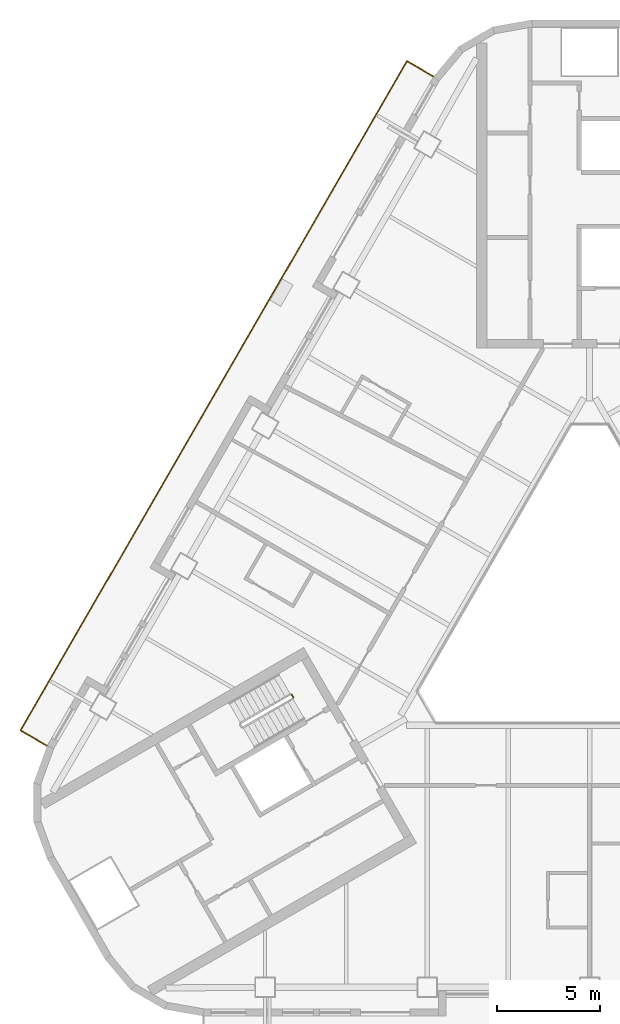
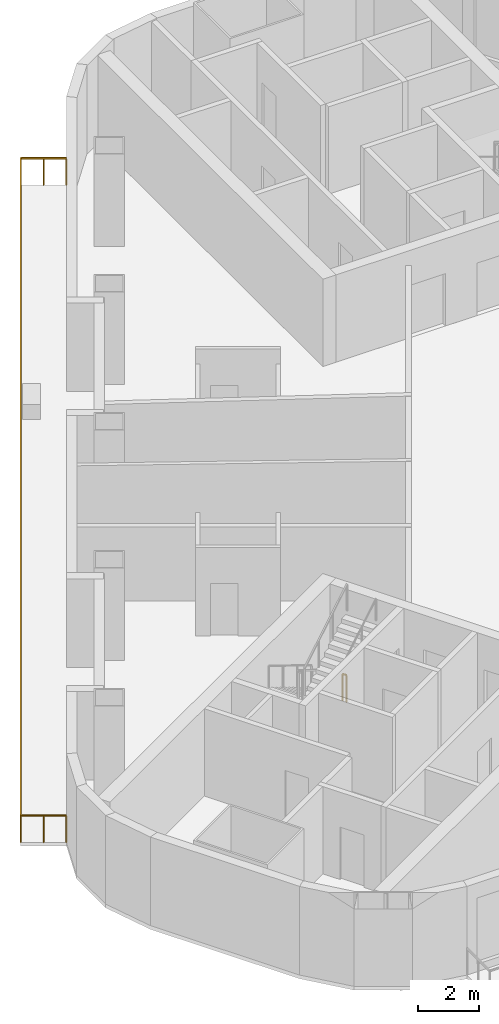
# One storey, part 10 of 13: 2 railings.
"""IFC4 building model written with IfcOpenShell, lengths in metres."""

from ifc_helpers import new_model, si_unit, direction, frame, origin, origin_2d, place, context, subcontext, project, spatial, rectangle, extrude, material, type_object, element, save


model = new_model("IFC4")

# Units and contexts
model_context = context("Model", 3, precision=1e-05, world=origin(), true_north=direction((0.0, 1.0)))
body_context = subcontext(model_context, "Body", "Model", "MODEL_VIEW")
ifc_project = project(units=[si_unit("LENGTHUNIT", "METRE"), si_unit("AREAUNIT", "SQUARE_METRE"), si_unit("VOLUMEUNIT", "CUBIC_METRE"), si_unit("PLANEANGLEUNIT", "RADIAN"), si_unit("MASSUNIT", "GRAM", prefix="KILO")], contexts=[model_context])

# Site, building, storey
site_placement = place(None, origin())
site = spatial("IfcSite", under=ifc_project, at=site_placement, CompositionType="ELEMENT")
building_placement = place(site_placement, origin())
building = spatial("IfcBuilding", under=site, at=building_placement, Name="Apuvela Tower Hotel", CompositionType="ELEMENT")
storey_placement = place(building_placement, frame((0.0, 0.0, 65.0)))
storey = spatial("IfcBuildingStorey", under=building, at=storey_placement, Name="L13", CompositionType="ELEMENT", Elevation=65.0)

# Railings
ifc_material_1 = material(Name="Steel S275 balustrade", Category="steel")
railing_type_1 = type_object("IfcRailingType", Name="COR-GUARD-1100", PredefinedType="GUARDRAIL", material=ifc_material_1)
railing_1_placement = place(storey_placement, frame((-14.500732421875, -3.984130859375, 0.0)))
element("IfcRailing", 1, at=railing_1_placement, inside=storey, type_object=railing_type_1, Name="L13 ST2 stair guard 4", PredefinedType="GUARDRAIL", context=body_context, shape_type="SweptSolid", body=[
    extrude(rectangle(XDim=0.048095703125, YDim=0.048095703125, at=origin_2d()), frame((0.0, 0.0, 1.076171875), z_axis=(0.499816412211, -0.866131372301, 0.0), x_axis=(0.866131372301, 0.499816412211, 0.0)), (0.0, 0.0, 1.0), 0.14990234375),
    extrude(rectangle(XDim=0.0419921875, YDim=0.0419921875, at=origin_2d()), origin(), (0.0, 0.0, 1.0), 1.052001953125),
    extrude(rectangle(XDim=0.0419921875, YDim=0.0419921875, at=origin_2d()), frame((0.074951171875, -0.1298828125, 0.0)), (0.0, 0.0, 1.0), 1.052001953125),
])
ifc_material_2 = material(Name="Stainless steel 316 rail with laminated glass infill", Category="steel")
railing_type_2 = type_object("IfcRailingType", Name="ENV-GUARD-1100", PredefinedType="GUARDRAIL", material=ifc_material_2)
railing_2_placement = place(storey_placement, frame((-7.59228515625, 26.110107421875, 0.0)))
element("IfcRailing", 2, at=railing_2_placement, inside=storey, type_object=railing_type_2, Name="Balcony guard NW L13", PredefinedType="GUARDRAIL", context=body_context, shape_type="SweptSolid", body=[
    extrude(rectangle(XDim=0.050048828125, YDim=0.050048828125, at=origin_2d()), frame((0.0, 0.0, 1.0751953125), z_axis=(-0.86599040064, 0.500060622324, 0.0), x_axis=(-0.500060622324, -0.86599040064, 0.0)), (0.0, 0.0, 1.0), 1.499755859375),
    extrude(rectangle(XDim=0.050048828125, YDim=0.050048828125, at=origin_2d()), frame((-1.298828125, 0.75, 1.0751953125), z_axis=(-0.500000437506, -0.86602515119, 0.0), x_axis=(0.86602515119, -0.500000437506, 0.0)), (0.0, 0.0, 1.0), 37.6318359375),
    extrude(rectangle(XDim=0.050048828125, YDim=0.050048828125, at=origin_2d()), frame((-20.11474609375, -31.840087890625, 1.0751953125), z_axis=(0.866031096941, -0.499990139034, 0.0), x_axis=(0.499990139034, 0.866031096941, 0.0)), (0.0, 0.0, 1.0), 1.5),
    extrude(rectangle(XDim=0.0400390625, YDim=0.0400390625, at=origin_2d()), origin(), (0.0, 0.0, 1.0), 1.050048828125),
    extrude(rectangle(XDim=0.0400390625, YDim=0.0400390625, at=origin_2d()), frame((-0.6494140625, 0.375, 0.0)), (0.0, 0.0, 1.0), 1.050048828125),
    extrude(rectangle(XDim=0.0400390625, YDim=0.0400390625, at=origin_2d()), frame((-1.298828125, 0.75, 0.0)), (0.0, 0.0, 1.0), 1.050048828125),
    extrude(rectangle(XDim=0.0400390625, YDim=0.0400390625, at=origin_2d()), frame((-1.88671875, -0.2685546875, 0.0)), (0.0, 0.0, 1.0), 1.050048828125),
    extrude(rectangle(XDim=0.0400390625, YDim=0.0400390625, at=origin_2d()), frame((-2.474853515625, -1.286865234375, 0.0)), (0.0, 0.0, 1.0), 1.050048828125),
    extrude(rectangle(XDim=0.0400390625, YDim=0.0400390625, at=origin_2d()), frame((-3.062744140625, -2.305419921875, 0.0)), (0.0, 0.0, 1.0), 1.050048828125),
    extrude(rectangle(XDim=0.0400390625, YDim=0.0400390625, at=origin_2d()), frame((-3.65087890625, -3.32373046875, 0.0)), (0.0, 0.0, 1.0), 1.050048828125),
    extrude(rectangle(XDim=0.0400390625, YDim=0.0400390625, at=origin_2d()), frame((-4.23876953125, -4.34228515625, 0.0)), (0.0, 0.0, 1.0), 1.050048828125),
    extrude(rectangle(XDim=0.0400390625, YDim=0.0400390625, at=origin_2d()), frame((-4.826904296875, -5.360595703125, 0.0)), (0.0, 0.0, 1.0), 1.050048828125),
    extrude(rectangle(XDim=0.0400390625, YDim=0.0400390625, at=origin_2d()), frame((-5.414794921875, -6.379150390625, 0.0)), (0.0, 0.0, 1.0), 1.050048828125),
    extrude(rectangle(XDim=0.0400390625, YDim=0.0400390625, at=origin_2d()), frame((-6.0029296875, -7.3974609375, 0.0)), (0.0, 0.0, 1.0), 1.050048828125),
    extrude(rectangle(XDim=0.0400390625, YDim=0.0400390625, at=origin_2d()), frame((-6.5908203125, -8.416015625, 0.0)), (0.0, 0.0, 1.0), 1.050048828125),
    extrude(rectangle(XDim=0.0400390625, YDim=0.0400390625, at=origin_2d()), frame((-7.1787109375, -9.434326171875, 0.0)), (0.0, 0.0, 1.0), 1.050048828125),
    extrude(rectangle(XDim=0.0400390625, YDim=0.0400390625, at=origin_2d()), frame((-7.766845703125, -10.452880859375, 0.0)), (0.0, 0.0, 1.0), 1.050048828125),
    extrude(rectangle(XDim=0.0400390625, YDim=0.0400390625, at=origin_2d()), frame((-8.354736328125, -11.47119140625, 0.0)), (0.0, 0.0, 1.0), 1.050048828125),
    extrude(rectangle(XDim=0.0400390625, YDim=0.0400390625, at=origin_2d()), frame((-8.94287109375, -12.48974609375, 0.0)), (0.0, 0.0, 1.0), 1.050048828125),
    extrude(rectangle(XDim=0.0400390625, YDim=0.0400390625, at=origin_2d()), frame((-9.53076171875, -13.508056640625, 0.0)), (0.0, 0.0, 1.0), 1.050048828125),
    extrude(rectangle(XDim=0.0400390625, YDim=0.0400390625, at=origin_2d()), frame((-10.118896484375, -14.526611328125, 0.0)), (0.0, 0.0, 1.0), 1.050048828125),
    extrude(rectangle(XDim=0.0400390625, YDim=0.0400390625, at=origin_2d()), frame((-10.706787109375, -15.544921875, 0.0)), (0.0, 0.0, 1.0), 1.050048828125),
    extrude(rectangle(XDim=0.0400390625, YDim=0.0400390625, at=origin_2d()), frame((-11.294677734375, -16.5634765625, 0.0)), (0.0, 0.0, 1.0), 1.050048828125),
    extrude(rectangle(XDim=0.0400390625, YDim=0.0400390625, at=origin_2d()), frame((-11.8828125, -17.58203125, 0.0)), (0.0, 0.0, 1.0), 1.050048828125),
    extrude(rectangle(XDim=0.0400390625, YDim=0.0400390625, at=origin_2d()), frame((-12.470703125, -18.600341796875, 0.0)), (0.0, 0.0, 1.0), 1.050048828125),
    extrude(rectangle(XDim=0.0400390625, YDim=0.0400390625, at=origin_2d()), frame((-13.058837890625, -19.618896484375, 0.0)), (0.0, 0.0, 1.0), 1.050048828125),
    extrude(rectangle(XDim=0.0400390625, YDim=0.0400390625, at=origin_2d()), frame((-13.646728515625, -20.63720703125, 0.0)), (0.0, 0.0, 1.0), 1.050048828125),
    extrude(rectangle(XDim=0.0400390625, YDim=0.0400390625, at=origin_2d()), frame((-14.23486328125, -21.65576171875, 0.0)), (0.0, 0.0, 1.0), 1.050048828125),
    extrude(rectangle(XDim=0.0400390625, YDim=0.0400390625, at=origin_2d()), frame((-14.82275390625, -22.674072265625, 0.0)), (0.0, 0.0, 1.0), 1.050048828125),
    extrude(rectangle(XDim=0.0400390625, YDim=0.0400390625, at=origin_2d()), frame((-15.41064453125, -23.692626953125, 0.0)), (0.0, 0.0, 1.0), 1.050048828125),
    extrude(rectangle(XDim=0.0400390625, YDim=0.0400390625, at=origin_2d()), frame((-15.998779296875, -24.7109375, 0.0)), (0.0, 0.0, 1.0), 1.050048828125),
    extrude(rectangle(XDim=0.0400390625, YDim=0.0400390625, at=origin_2d()), frame((-16.586669921875, -25.7294921875, 0.0)), (0.0, 0.0, 1.0), 1.050048828125),
    extrude(rectangle(XDim=0.0400390625, YDim=0.0400390625, at=origin_2d()), frame((-17.1748046875, -26.747802734375, 0.0)), (0.0, 0.0, 1.0), 1.050048828125),
    extrude(rectangle(XDim=0.0400390625, YDim=0.0400390625, at=origin_2d()), frame((-17.7626953125, -27.766357421875, 0.0)), (0.0, 0.0, 1.0), 1.050048828125),
    extrude(rectangle(XDim=0.0400390625, YDim=0.0400390625, at=origin_2d()), frame((-18.350830078125, -28.78466796875, 0.0)), (0.0, 0.0, 1.0), 1.050048828125),
    extrude(rectangle(XDim=0.0400390625, YDim=0.0400390625, at=origin_2d()), frame((-18.938720703125, -29.80322265625, 0.0)), (0.0, 0.0, 1.0), 1.050048828125),
    extrude(rectangle(XDim=0.0400390625, YDim=0.0400390625, at=origin_2d()), frame((-19.52685546875, -30.821533203125, 0.0)), (0.0, 0.0, 1.0), 1.050048828125),
    extrude(rectangle(XDim=0.0400390625, YDim=0.0400390625, at=origin_2d()), frame((-20.11474609375, -31.840087890625, 0.0)), (0.0, 0.0, 1.0), 1.050048828125),
    extrude(rectangle(XDim=0.0400390625, YDim=0.0400390625, at=origin_2d()), frame((-19.46533203125, -32.215087890625, 0.0)), (0.0, 0.0, 1.0), 1.050048828125),
    extrude(rectangle(XDim=0.0400390625, YDim=0.0400390625, at=origin_2d()), frame((-18.815673828125, -32.590087890625, 0.0)), (0.0, 0.0, 1.0), 1.050048828125),
])

save(model, "model.ifc")
